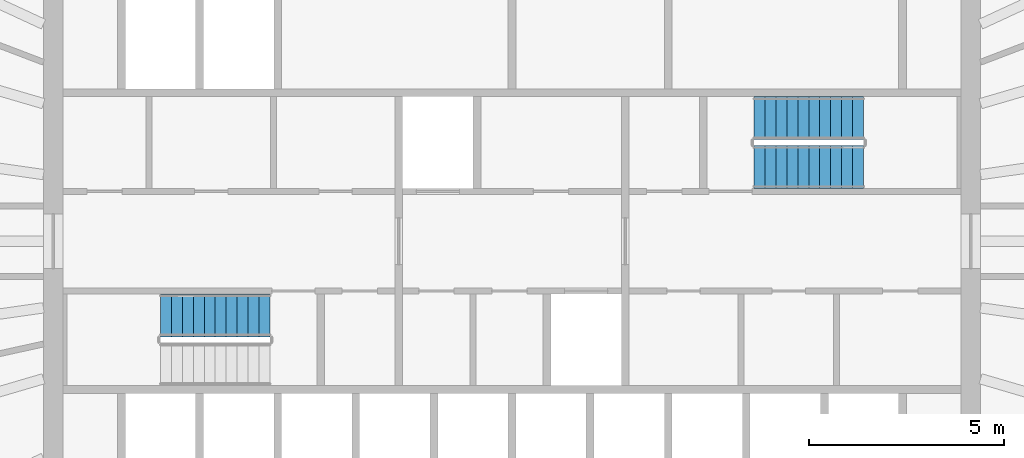
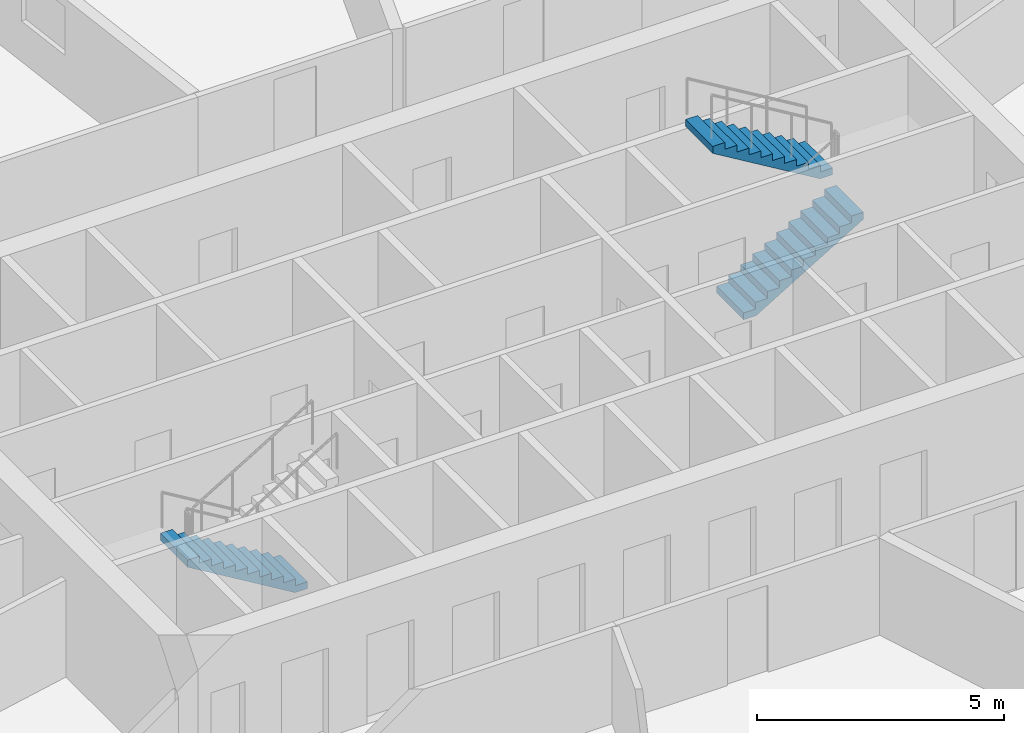
# One storey, part 11 of 12: 3 stair flights, 2 elements without a shape of their own.
"""IFC4 building model written with IfcOpenShell, lengths in metres."""

from ifc_helpers import new_model, si_unit, direction, frame, origin, place, context, subcontext, project, spatial, polyline, outline, extrude, material, type_object, element, aggregate, save


model = new_model("IFC4")

# Units and contexts
model_context = context("Model", 3, precision=1e-05, world=origin(), true_north=direction((0.0, 1.0)))
body_context = subcontext(model_context, "Body", "Model", "MODEL_VIEW")
ifc_project = project(units=[si_unit("LENGTHUNIT", "METRE"), si_unit("AREAUNIT", "SQUARE_METRE"), si_unit("VOLUMEUNIT", "CUBIC_METRE"), si_unit("PLANEANGLEUNIT", "RADIAN"), si_unit("MASSUNIT", "GRAM", prefix="KILO")], contexts=[model_context])

# Site, building, storey
site_placement = place(None, origin())
site = spatial("IfcSite", under=ifc_project, at=site_placement, CompositionType="ELEMENT")
building_placement = place(site_placement, origin())
building = spatial("IfcBuilding", under=site, at=building_placement, Name="Siaravel Broadcast Tower", CompositionType="ELEMENT")
storey_placement = place(building_placement, frame((0.0, 0.0, 115.60009765625)))
storey = spatial("IfcBuildingStorey", under=building, at=storey_placement, Name="L27", CompositionType="ELEMENT", Elevation=115.60009765625)

# Stair, stair flight
ifc_material = material(Name="Concrete C40/50", Category="concrete")
stair_type = type_object("IfcStairType", Name="Core exit stair", PredefinedType="HALF_TURN_STAIR", material=ifc_material)
stair_1_placement = place(storey_placement, origin())
stair_1 = element("IfcStair", 1, at=stair_1_placement, inside=storey, type_object=stair_type, Name="L27 Exit stair ST-1", PredefinedType="HALF_TURN_STAIR")
stair_flight_type = type_object("IfcStairFlightType", Name="Stair flight 1100", PredefinedType="STRAIGHT", material=ifc_material)
stair_flight_1_placement = place(storey_placement, frame((-6.199951171875, -1.89990234375, 0.0), z_axis=(0.0, 0.0, 1.0), x_axis=(-1.0, 0.0, 0.0)))
stair_flight_1 = element("IfcStairFlight", 2, at=stair_flight_1_placement, type_object=stair_flight_type, Name="ST-1 flight 1", NumberOfRisers=11, NumberOfTreads=10, PredefinedType="STRAIGHT", RiserHeight=0.1681818, TreadLength=0.28, context=body_context, shape_type="SweptSolid", body=[
    extrude(outline(polyline([(0.0, 0.0), (0.0, 0.168212890625), (0.280029296875, 0.168212890625), (0.280029296875, 0.33642578125), (0.56005859375, 0.33642578125), (0.56005859375, 0.504638671875), (0.840087890625, 0.504638671875), (0.840087890625, 0.672607421875), (1.1201171875, 0.672607421875), (1.1201171875, 0.8408203125), (1.39990234375, 0.8408203125), (1.39990234375, 1.009033203125), (1.679931640625, 1.009033203125), (1.679931640625, 1.17724609375), (1.9599609375, 1.17724609375), (1.9599609375, 1.345458984375), (2.239990234375, 1.345458984375), (2.239990234375, 1.513671875), (2.52001953125, 1.513671875), (2.52001953125, 1.681884765625), (2.800048828125, 1.681884765625), (2.800048828125, 1.85009765625), (2.800048828125, 1.5068359375), (0.291015625, 0.0), (0.0, 0.0)])), frame((0.0, 0.550048828125, 0.0), z_axis=(0.0, -1.0, 0.0), x_axis=(1.0, 0.0, 0.0)), (0.0, 0.0, 1.0), 1.10009765625),
])
aggregate(stair_1, [stair_flight_1])

# Stair, stair flights
stair_2_placement = place(storey_placement, origin())
stair_2 = element("IfcStair", 3, at=stair_2_placement, inside=storey, type_object=stair_type, Name="L27 Exit stair ST-2", PredefinedType="HALF_TURN_STAIR")
stair_flight_2_placement = place(storey_placement, frame((6.199951171875, 1.89990234375, 0.0), z_axis=(0.0, 0.0, 1.0), x_axis=(1.0, 0.0, 0.0)))
stair_flight_2 = element("IfcStairFlight", 4, at=stair_flight_2_placement, type_object=stair_flight_type, Name="ST-2 flight 1", NumberOfRisers=11, NumberOfTreads=10, PredefinedType="STRAIGHT", RiserHeight=0.1681818, TreadLength=0.28, context=body_context, shape_type="SweptSolid", body=[
    extrude(outline(polyline([(0.0, 0.0), (0.0, 0.168212890625), (0.280029296875, 0.168212890625), (0.280029296875, 0.33642578125), (0.56005859375, 0.33642578125), (0.56005859375, 0.504638671875), (0.840087890625, 0.504638671875), (0.840087890625, 0.672607421875), (1.1201171875, 0.672607421875), (1.1201171875, 0.8408203125), (1.39990234375, 0.8408203125), (1.39990234375, 1.009033203125), (1.679931640625, 1.009033203125), (1.679931640625, 1.17724609375), (1.9599609375, 1.17724609375), (1.9599609375, 1.345458984375), (2.239990234375, 1.345458984375), (2.239990234375, 1.513671875), (2.52001953125, 1.513671875), (2.52001953125, 1.681884765625), (2.800048828125, 1.681884765625), (2.800048828125, 1.85009765625), (2.800048828125, 1.5068359375), (0.291015625, 0.0), (0.0, 0.0)])), frame((0.0, 0.550048828125, 0.0), z_axis=(0.0, -1.0, 0.0), x_axis=(1.0, 0.0, 0.0)), (0.0, 0.0, 1.0), 1.10009765625),
])
stair_flight_3_placement = place(storey_placement, frame((9.0, 3.14990234375, 1.849853515625), z_axis=(0.0, 0.0, 1.0), x_axis=(-1.0, 0.0, 0.0)))
stair_flight_3 = element("IfcStairFlight", 5, at=stair_flight_3_placement, type_object=stair_flight_type, Name="ST-2 flight 2", NumberOfRisers=11, NumberOfTreads=10, PredefinedType="STRAIGHT", RiserHeight=0.1681818, TreadLength=0.28, context=body_context, shape_type="SweptSolid", body=[
    extrude(outline(polyline([(0.0, 0.0), (0.0, 0.168212890625), (0.280029296875, 0.168212890625), (0.280029296875, 0.33642578125), (0.56005859375, 0.33642578125), (0.56005859375, 0.504638671875), (0.840087890625, 0.504638671875), (0.840087890625, 0.672607421875), (1.1201171875, 0.672607421875), (1.1201171875, 0.8408203125), (1.39990234375, 0.8408203125), (1.39990234375, 1.009033203125), (1.679931640625, 1.009033203125), (1.679931640625, 1.17724609375), (1.9599609375, 1.17724609375), (1.9599609375, 1.345458984375), (2.239990234375, 1.345458984375), (2.239990234375, 1.513671875), (2.52001953125, 1.513671875), (2.52001953125, 1.681884765625), (2.800048828125, 1.681884765625), (2.800048828125, 1.85009765625), (2.800048828125, 1.5068359375), (0.291015625, 0.0), (0.0, 0.0)])), frame((0.0, 0.550048828125, 0.0), z_axis=(0.0, -1.0, 0.0), x_axis=(1.0, 0.0, 0.0)), (0.0, 0.0, 1.0), 1.10009765625),
])
aggregate(stair_2, [stair_flight_2, stair_flight_3])

save(model, "model.ifc")
